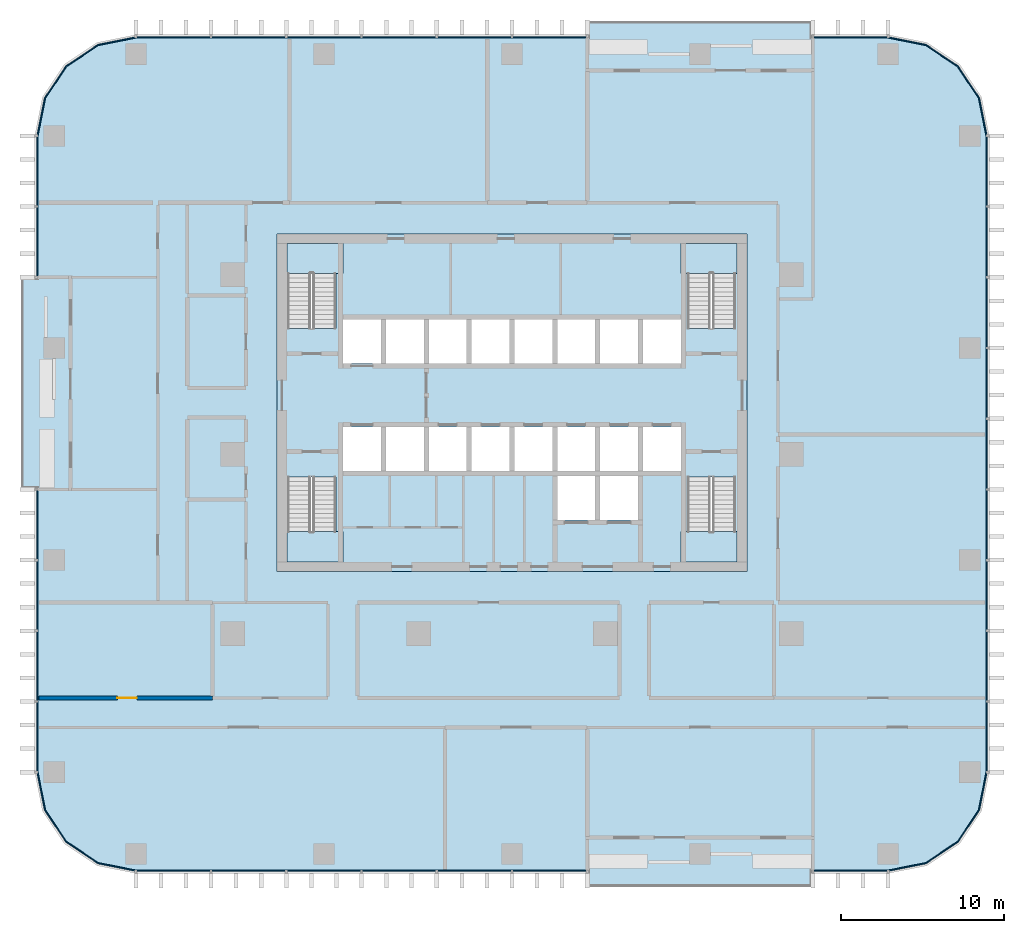
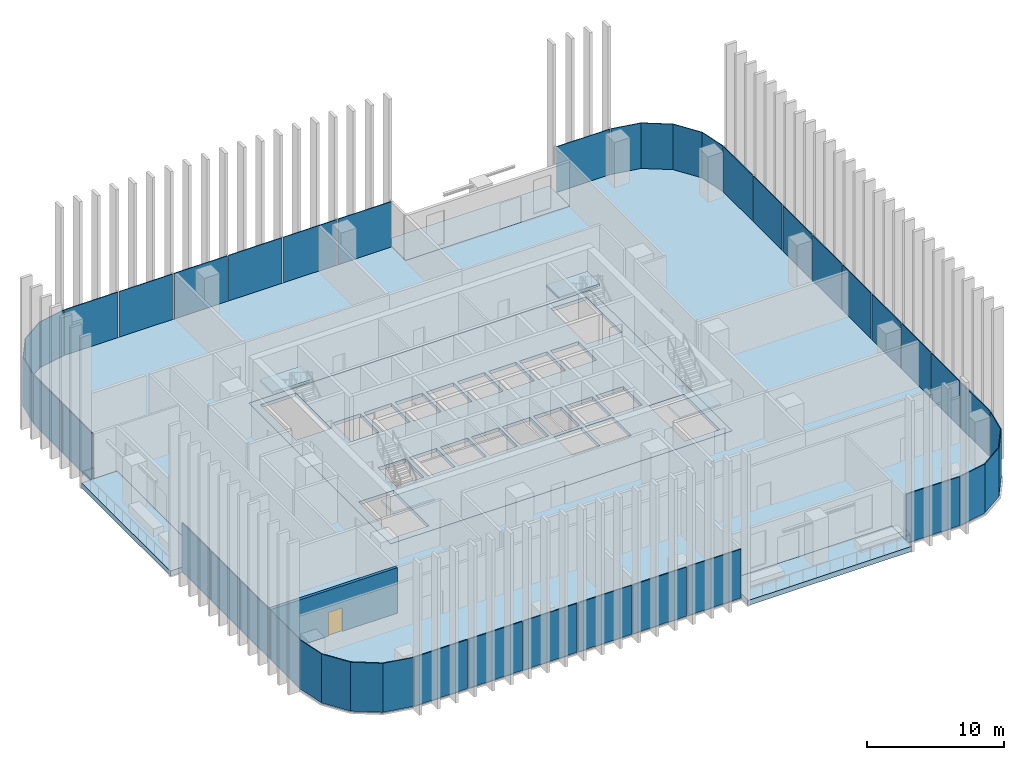
# One storey, part 6 of 17: 33 plates, 9 slabs, 1 door, 1 wall, 1 opening, 15 elements without a shape of their own.
"""IFC4 building model written with IfcOpenShell, lengths in metres."""

import ifcopenshell
import ifcopenshell.guid

model = None  # the IFC model being written
_history = None  # IfcOwnerHistory: only IFC2X3 demands one
_inside = {}  # id of a spatial element -> (the spatial element, [elements in it])
_under = {}  # id of a project, library or spatial element -> (it, [spatial elements below it])
_declared = {}  # id of a project -> (the project, [libraries it declares])
_typed = {}  # id of a type object -> (the type object, [elements of that type])
_made_of = {}  # id of a material, layer set ... -> (it, [elements and type objects made of it])


def new_model(schema):
    """Start an empty IFC model of exactly this schema.

    Asked for "IFC4X3", IfcOpenShell would pick the latest addendum, in which some entities
    have other attributes; the version numbers below select the first issue.
    IFC2X3 requires an IfcOwnerHistory on every rooted entity: one is made here for all.
    """
    global model, _history
    if schema == "IFC4X3":
        model = ifcopenshell.file(schema_version=(4, 3, 0, 0))
    else:
        model = ifcopenshell.file(schema=schema)
    _inside.clear()
    _under.clear()
    _declared.clear()
    _typed.clear()
    _made_of.clear()
    _history = None
    if model.schema == "IFC2X3":
        org = make("IfcOrganization", Name="unknown")
        user = make(
            "IfcPersonAndOrganization",
            ThePerson=make("IfcPerson", FamilyName="unknown"),
            TheOrganization=org,
        )
        app = make(
            "IfcApplication",
            ApplicationDeveloper=org,
            Version="unknown",
            ApplicationFullName="unknown",
            ApplicationIdentifier="unknown",
        )
        _history = make(
            "IfcOwnerHistory",
            OwningUser=user,
            OwningApplication=app,
            ChangeAction="ADDED",
            CreationDate=0,
        )
    return model


def make(cls, **values):
    """One entity of the class cls with the attributes given. An attribute that is None is left unset."""
    return model.create_entity(
        cls, **{name: value for name, value in values.items() if value is not None}
    )


def rooted(cls, **values):
    """An entity with a GlobalId (a new one), such as an element, a storey or a relation."""
    return make(cls, GlobalId=ifcopenshell.guid.new(), OwnerHistory=_history, **values)


def si_unit(unit_type, name, prefix=None):
    """IfcSIUnit, for example si_unit("LENGTHUNIT", "METRE", prefix="MILLI")."""
    return make("IfcSIUnit", UnitType=unit_type, Prefix=prefix, Name=name)


def assignment(units):
    """IfcUnitAssignment: the units of a project."""
    return None if units is None else make("IfcUnitAssignment", Units=units)


def point(xyz):
    """IfcCartesianPoint."""
    return None if xyz is None else make("IfcCartesianPoint", Coordinates=xyz)


def direction(xyz):
    """IfcDirection."""
    return None if xyz is None else make("IfcDirection", DirectionRatios=xyz)


def frame(location, z_axis=None, x_axis=None):
    """IfcAxis2Placement3D, a coordinate frame: its origin and axes. An axis left out is left unset."""
    return make(
        "IfcAxis2Placement3D",
        Location=point(location),
        Axis=direction(z_axis),
        RefDirection=direction(x_axis),
    )


def frame_2d(location, x_axis=None):
    """IfcAxis2Placement2D, a coordinate frame in the plane: its origin and x axis."""
    return make(
        "IfcAxis2Placement2D", Location=point(location), RefDirection=direction(x_axis)
    )


def origin():
    """The frame at (0, 0, 0) with its axes left unset."""
    return frame((0.0, 0.0, 0.0))


def origin_2d():
    """The frame at (0, 0) in the plane with its x axis left unset."""
    return frame_2d((0.0, 0.0))


def place(relative_to, where):
    """IfcLocalPlacement: puts the frame where relative to a parent placement (None: the world)."""
    return make(
        "IfcLocalPlacement", PlacementRelTo=relative_to, RelativePlacement=where
    )


def context(
    kind, dimensions, precision=None, world=None, true_north=None, identifier=None
):
    """IfcGeometricRepresentationContext, for example the 3D "Model" context."""
    return make(
        "IfcGeometricRepresentationContext",
        ContextIdentifier=identifier,
        ContextType=kind,
        CoordinateSpaceDimension=dimensions,
        Precision=precision,
        WorldCoordinateSystem=world,
        TrueNorth=true_north,
    )


def subcontext(parent, identifier, kind, view, scale=None):
    """IfcGeometricRepresentationSubContext, for example "Body" below "Model"."""
    return make(
        "IfcGeometricRepresentationSubContext",
        ContextIdentifier=identifier,
        ContextType=kind,
        ParentContext=parent,
        TargetScale=scale,
        TargetView=view,
    )


def project(units=None, contexts=None):
    """IfcProject with its units and contexts."""
    return rooted(
        "IfcProject",
        Name="project",
        RepresentationContexts=contexts,
        UnitsInContext=assignment(units),
    )


def spatial(cls, under=None, at=None, **own):
    """A site, building, storey or space (cls), placed at a placement, below another one or the project."""
    s = rooted(cls, ObjectPlacement=at, **own)
    if under is not None:
        _under.setdefault(under.id(), (under, []))[1].append(s)
    return s


def polyline(points):
    """IfcPolyline through the points."""
    return make("IfcPolyline", Points=[point(p) for p in points])


def profile(cls, at=None, kind="AREA", **sizes):
    """A parametric profile (cls). Its sizes go by their IFC names, for example OverallWidth=200.0."""
    return make(cls, ProfileType=kind, Position=at, **sizes)


def rectangle(**sizes):
    """IfcRectangleProfileDef."""
    return profile("IfcRectangleProfileDef", **sizes)


def outline(outer, holes=None, kind="AREA"):
    """IfcArbitraryClosedProfileDef: a profile drawn as a closed curve; with holes, ...WithVoids."""
    if holes is None:
        return make("IfcArbitraryClosedProfileDef", ProfileType=kind, OuterCurve=outer)
    return make(
        "IfcArbitraryProfileDefWithVoids",
        ProfileType=kind,
        OuterCurve=outer,
        InnerCurves=holes,
    )


def extrude(swept, where, along, depth):
    """IfcExtrudedAreaSolid: the profile swept, set in the frame where, extruded along a direction by depth."""
    return make(
        "IfcExtrudedAreaSolid",
        SweptArea=swept,
        Position=where,
        ExtrudedDirection=direction(along),
        Depth=depth,
    )


def shape(context_of_items, identifier, shape_type, items):
    """IfcShapeRepresentation: the items that make up one representation, for example the "Body"."""
    return make(
        "IfcShapeRepresentation",
        ContextOfItems=context_of_items,
        RepresentationIdentifier=identifier,
        RepresentationType=shape_type,
        Items=items,
    )


def material(Name=None, Category=None):
    """IfcMaterial."""
    return make("IfcMaterial", Name=Name, Category=Category)


def layer(
    of_material, thickness, ventilated=None, Name=None, Category=None, Priority=None
):
    """IfcMaterialLayer: one layer of a wall or slab, of a material (None: an air gap)."""
    return make(
        "IfcMaterialLayer",
        Material=of_material,
        LayerThickness=thickness,
        IsVentilated=ventilated,
        Name=Name,
        Category=Category,
        Priority=Priority,
    )


def layer_set(layers, Name=None):
    """IfcMaterialLayerSet."""
    return make("IfcMaterialLayerSet", MaterialLayers=layers, LayerSetName=Name)


def made_of(thing, what):
    """Note that an element or type object is made of a material, layer set ...; save() writes the relation."""
    if what is not None:
        _made_of.setdefault(what.id(), (what, []))[1].append(thing)
    return thing


def type_object(cls, material=None, **own):
    """A type object (cls), such as IfcWallType, which elements share."""
    return made_of(rooted(cls, **own), material)


def element(
    cls,
    number,
    at=None,
    inside=None,
    cuts=None,
    type_object=None,
    material=None,
    context=None,
    identifier="Body",
    shape_type=None,
    held_by="IfcProductDefinitionShape",
    body=None,
    shapes=None,
    **own,
):
    """One element of the class cls, such as IfcWall. Its Tag is "e" and its number.

    at: its placement. inside: the storey or other place that contains it. cuts: it is an
    opening in that element (IfcRelVoidsElement). A single representation is given by context,
    identifier, shape_type and body (its items); several are given by shapes. held_by: the class
    of the entity that holds the representations. save() writes the other relations.
    """
    e = rooted(cls, Tag="e%d" % number, ObjectPlacement=at, **own)
    if body is not None:
        shapes = [shape(context, identifier, shape_type, body)]
    if shapes is not None:
        e.Representation = make(held_by, Representations=shapes)
    if inside is not None:
        _inside.setdefault(inside.id(), (inside, []))[1].append(e)
    if cuts is not None:
        rooted(
            "IfcRelVoidsElement", RelatingBuildingElement=cuts, RelatedOpeningElement=e
        )
    if type_object is not None:
        _typed.setdefault(type_object.id(), (type_object, []))[1].append(e)
    return made_of(e, material)


def fill(opening, filler):
    """IfcRelFillsElement: the door or window that sits in an opening."""
    return rooted(
        "IfcRelFillsElement",
        RelatingOpeningElement=opening,
        RelatedBuildingElement=filler,
    )


def aggregate(whole, parts):
    """IfcRelAggregates: a whole, such as a stair, and the parts it consists of."""
    return rooted("IfcRelAggregates", RelatingObject=whole, RelatedObjects=parts)


def save(model, path):
    """Write the relations noted so far, then the file.

    IfcRelAggregates (storeys below a building ...), IfcRelContainedInSpatialStructure (elements
    in a storey), IfcRelDefinesByType, IfcRelAssociatesMaterial and IfcRelDeclares: one each for
    every whole, place, type object, material and project.
    """
    for whole, parts in _under.values():
        aggregate(whole, parts)
    for where, things in _inside.values():
        rooted(
            "IfcRelContainedInSpatialStructure",
            RelatedElements=things,
            RelatingStructure=where,
        )
    for kind, things in _typed.values():
        rooted("IfcRelDefinesByType", RelatedObjects=things, RelatingType=kind)
    for what, things in _made_of.values():
        rooted("IfcRelAssociatesMaterial", RelatedObjects=things, RelatingMaterial=what)
    for by, libraries in _declared.values():
        rooted("IfcRelDeclares", RelatingContext=by, RelatedDefinitions=libraries)
    model.write(path)


model = new_model("IFC4")

# Units and contexts
model_context = context("Model", 3, precision=1e-05, world=origin(), true_north=direction((0.0, 1.0)))
body_context = subcontext(model_context, "Body", "Model", "MODEL_VIEW")
ifc_project = project(units=[si_unit("LENGTHUNIT", "METRE"), si_unit("AREAUNIT", "SQUARE_METRE"), si_unit("VOLUMEUNIT", "CUBIC_METRE"), si_unit("PLANEANGLEUNIT", "RADIAN"), si_unit("MASSUNIT", "GRAM", prefix="KILO")], contexts=[model_context])

# Site, building, storey
site_placement = place(None, origin())
site = spatial("IfcSite", under=ifc_project, at=site_placement, CompositionType="ELEMENT")
building_placement = place(site_placement, origin())
building = spatial("IfcBuilding", under=site, at=building_placement, Name="Mopane Tessera Tower", CompositionType="ELEMENT")
storey_placement = place(building_placement, frame((0.0, 0.0, 108.10009765625)))
storey = spatial("IfcBuildingStorey", under=building, at=storey_placement, Name="L21", CompositionType="ELEMENT", Elevation=108.10009765625)

# Slab
ifc_material_1 = material(Name="Concrete C40/50", Category="concrete")
ifc_layer_1 = layer(ifc_material_1, 0.300048828125)
ifc_layer_set_1 = layer_set([ifc_layer_1], Name="Concrete C40/50")
slab_type_1 = type_object("IfcSlabType", Name="Core floor slab 300 mm", PredefinedType="FLOOR", material=ifc_layer_set_1)
slab_1_placement = place(storey_placement, frame((0.0, 0.0, -0.300048828125)))
element("IfcSlab", 1, at=slab_1_placement, inside=storey, type_object=slab_type_1, Name="L21 core floor slab", PredefinedType="FLOOR", context=body_context, shape_type="SweptSolid", body=[
    extrude(outline(polyline([(-14.39990234375, -7.199951171875), (14.39990234375, -7.199951171875), (14.39990234375, 13.5), (-14.39990234375, 13.5), (-14.39990234375, -7.199951171875)]), holes=[polyline([(-10.35009765625, -1.050048828125), (-8.02490234375, -1.050048828125), (-8.02490234375, 1.64990234375), (-10.35009765625, 1.64990234375), (-10.35009765625, -1.050048828125)]), polyline([(-7.72509765625, -1.050048828125), (-5.39990234375, -1.050048828125), (-5.39990234375, 1.64990234375), (-7.72509765625, 1.64990234375), (-7.72509765625, -1.050048828125)]), polyline([(-5.10009765625, -1.050048828125), (-2.77490234375, -1.050048828125), (-2.77490234375, 1.64990234375), (-5.10009765625, 1.64990234375), (-5.10009765625, -1.050048828125)]), polyline([(-2.47509765625, -1.050048828125), (-0.14990234375, -1.050048828125), (-0.14990234375, 1.64990234375), (-2.47509765625, 1.64990234375), (-2.47509765625, -1.050048828125)]), polyline([(0.14990234375, -1.050048828125), (2.47509765625, -1.050048828125), (2.47509765625, 1.64990234375), (0.14990234375, 1.64990234375), (0.14990234375, -1.050048828125)]), polyline([(2.77490234375, -1.050048828125), (5.10009765625, -1.050048828125), (5.10009765625, 1.64990234375), (2.77490234375, 1.64990234375), (2.77490234375, -1.050048828125)]), polyline([(5.39990234375, -1.050048828125), (7.72509765625, -1.050048828125), (7.72509765625, 1.64990234375), (5.39990234375, 1.64990234375), (5.39990234375, -1.050048828125)]), polyline([(8.02490234375, -1.050048828125), (10.35009765625, -1.050048828125), (10.35009765625, 1.64990234375), (8.02490234375, 1.64990234375), (8.02490234375, -1.050048828125)]), polyline([(-10.35009765625, 5.550048828125), (-8.02490234375, 5.550048828125), (-8.02490234375, 8.25), (-10.35009765625, 8.25), (-10.35009765625, 5.550048828125)]), polyline([(-7.72509765625, 5.550048828125), (-5.39990234375, 5.550048828125), (-5.39990234375, 8.25), (-7.72509765625, 8.25), (-7.72509765625, 5.550048828125)]), polyline([(-5.10009765625, 5.550048828125), (-2.77490234375, 5.550048828125), (-2.77490234375, 8.25), (-5.10009765625, 8.25), (-5.10009765625, 5.550048828125)]), polyline([(-2.47509765625, 5.550048828125), (-0.14990234375, 5.550048828125), (-0.14990234375, 8.25), (-2.47509765625, 8.25), (-2.47509765625, 5.550048828125)]), polyline([(0.14990234375, 5.550048828125), (2.47509765625, 5.550048828125), (2.47509765625, 8.25), (0.14990234375, 8.25), (0.14990234375, 5.550048828125)]), polyline([(2.77490234375, 5.550048828125), (5.10009765625, 5.550048828125), (5.10009765625, 8.25), (2.77490234375, 8.25), (2.77490234375, 5.550048828125)]), polyline([(5.39990234375, 5.550048828125), (7.72509765625, 5.550048828125), (7.72509765625, 8.25), (5.39990234375, 8.25), (5.39990234375, 5.550048828125)]), polyline([(8.02490234375, 5.550048828125), (10.35009765625, 5.550048828125), (10.35009765625, 8.25), (8.02490234375, 8.25), (8.02490234375, 5.550048828125)]), polyline([(2.77490234375, -4.050048828125), (5.10009765625, -4.050048828125), (5.10009765625, -1.35009765625), (2.77490234375, -1.35009765625), (2.77490234375, -4.050048828125)]), polyline([(5.39990234375, -4.050048828125), (7.72509765625, -4.050048828125), (7.72509765625, -1.35009765625), (5.39990234375, -1.35009765625), (5.39990234375, -4.050048828125)]), polyline([(-13.75, -1.405029296875), (-13.75, -6.60009765625), (-10.800048828125, -6.60009765625), (-10.800048828125, -1.405029296875), (-13.75, -1.405029296875)]), polyline([(-10.800048828125, 7.705078125), (-10.800048828125, 12.89990234375), (-13.75, 12.89990234375), (-13.75, 7.705078125), (-10.800048828125, 7.705078125)]), polyline([(10.75, -1.405029296875), (10.75, -6.60009765625), (13.699951171875, -6.60009765625), (13.699951171875, -1.405029296875), (10.75, -1.405029296875)]), polyline([(13.699951171875, 7.705078125), (13.699951171875, 12.89990234375), (10.75, 12.89990234375), (10.75, 7.705078125), (13.699951171875, 7.705078125)])]), origin(), (0.0, 0.0, 1.0), 0.300048828125),
])

# Stair, slab
ifc_material_2 = material(Name="Concrete C50/60", Category="concrete")
stair_type = type_object("IfcStairType", Name="Escape stair 1400 mm, riser 173 mm", PredefinedType="HALF_TURN_STAIR", material=ifc_material_2)
stair_1_placement = place(storey_placement, origin())
stair_1 = element("IfcStair", 2, at=stair_1_placement, inside=storey, type_object=stair_type, Name="L21 Escape stair south-west", PredefinedType="HALF_TURN_STAIR")
ifc_material_3 = material(Name="Concrete C50/60", Category="concrete")
ifc_layer_2 = layer(ifc_material_3, 0.199951171875)
ifc_layer_set_2 = layer_set([ifc_layer_2], Name="Concrete C50/60")
slab_type_2 = type_object("IfcSlabType", Name="Escape stair landing 200 mm", PredefinedType="LANDING", material=ifc_layer_set_2)
slab_2_placement = place(storey_placement, frame((0.0, 0.0, 2.0498046875)))
slab_2 = element("IfcSlab", 3, at=slab_2_placement, type_object=slab_type_2, Name="ST1 landing 1", PredefinedType="LANDING", context=body_context, shape_type="SweptSolid", body=[
    extrude(outline(polyline([(-13.800048828125, -4.760009765625), (-13.800048828125, -6.60009765625), (-10.35009765625, -6.60009765625), (-10.35009765625, -4.760009765625), (-13.800048828125, -4.760009765625)])), origin(), (0.0, 0.0, 1.0), 0.2001953125),
])
aggregate(stair_1, [slab_2])

stair_2_placement = place(storey_placement, origin())
stair_2 = element("IfcStair", 4, at=stair_2_placement, inside=storey, type_object=stair_type, Name="L21 Escape stair north-west", PredefinedType="HALF_TURN_STAIR")
slab_3_placement = place(storey_placement, frame((0.0, 0.0, 2.0498046875)))
slab_3 = element("IfcSlab", 5, at=slab_3_placement, type_object=slab_type_2, Name="ST2 landing 1", PredefinedType="LANDING", context=body_context, shape_type="SweptSolid", body=[
    extrude(outline(polyline([(-10.35009765625, 11.06005859375), (-10.35009765625, 12.89990234375), (-13.800048828125, 12.89990234375), (-13.800048828125, 11.06005859375), (-10.35009765625, 11.06005859375)])), origin(), (0.0, 0.0, 1.0), 0.2001953125),
])
aggregate(stair_2, [slab_3])

stair_3_placement = place(storey_placement, origin())
stair_3 = element("IfcStair", 6, at=stair_3_placement, inside=storey, type_object=stair_type, Name="L21 Escape stair south-east", PredefinedType="HALF_TURN_STAIR")
slab_4_placement = place(storey_placement, frame((0.0, 0.0, 2.0498046875)))
slab_4 = element("IfcSlab", 7, at=slab_4_placement, type_object=slab_type_2, Name="ST3 landing 1", PredefinedType="LANDING", context=body_context, shape_type="SweptSolid", body=[
    extrude(outline(polyline([(10.35009765625, -4.760009765625), (10.35009765625, -6.60009765625), (13.800048828125, -6.60009765625), (13.800048828125, -4.760009765625), (10.35009765625, -4.760009765625)])), origin(), (0.0, 0.0, 1.0), 0.2001953125),
])
aggregate(stair_3, [slab_4])

stair_4_placement = place(storey_placement, origin())
stair_4 = element("IfcStair", 8, at=stair_4_placement, inside=storey, type_object=stair_type, Name="L21 Escape stair north-east", PredefinedType="HALF_TURN_STAIR")
slab_5_placement = place(storey_placement, frame((0.0, 0.0, 2.0498046875)))
slab_5 = element("IfcSlab", 9, at=slab_5_placement, type_object=slab_type_2, Name="ST4 landing 1", PredefinedType="LANDING", context=body_context, shape_type="SweptSolid", body=[
    extrude(outline(polyline([(13.800048828125, 11.06005859375), (13.800048828125, 12.89990234375), (10.35009765625, 12.89990234375), (10.35009765625, 11.06005859375), (13.800048828125, 11.06005859375)])), origin(), (0.0, 0.0, 1.0), 0.2001953125),
])
aggregate(stair_4, [slab_5])

# Curtain wall, plates
ifc_material_4 = material(Name="Aluminium frame", Category="aluminium")
curtain_wall_type = type_object("IfcCurtainWallType", Name="Lower tower unitised wall", PredefinedType="NOTDEFINED", material=ifc_material_4)
curtain_wall_1_placement = place(storey_placement, origin())
curtain_wall_1 = element("IfcCurtainWall", 10, at=curtain_wall_1_placement, inside=storey, type_object=curtain_wall_type, Name="e:cw:L21:S:0", PredefinedType="NOTDEFINED")
ifc_material_5 = material(Name="Clear laminated glass", Category="glass")
ifc_layer_3 = layer(ifc_material_5, 0.070068359375)
ifc_layer_set_3 = layer_set([ifc_layer_3], Name="Clear laminated glass")
plate_type = type_object("IfcPlateType", Name="Laminated glazed unit 70", PredefinedType="CURTAIN_PANEL", material=ifc_layer_set_3)
plate_1_placement = place(storey_placement, frame((-20.7451171875, -25.534912109375, -0.31005859375), z_axis=(0.0, 0.0, 1.0), x_axis=(1.0, 0.0, 0.0)))
plate_1 = element("IfcPlate", 11, at=plate_1_placement, type_object=plate_type, Name="e:cw:L21:S:0:pn0", PredefinedType="CURTAIN_PANEL", context=body_context, shape_type="SweptSolid", body=[
    extrude(rectangle(XDim=4.5, YDim=0.070068359375, at=origin_2d()), origin(), (0.0, 0.0, 1.0), 4.360107421875),
])
plate_2_placement = place(storey_placement, frame((-16.135009765625, -25.534912109375, -0.31005859375), z_axis=(0.0, 0.0, 1.0), x_axis=(1.0, 0.0, 0.0)))
plate_2 = element("IfcPlate", 12, at=plate_2_placement, type_object=plate_type, Name="e:cw:L21:S:0:pn1", PredefinedType="CURTAIN_PANEL", context=body_context, shape_type="SweptSolid", body=[
    extrude(rectangle(XDim=4.5, YDim=0.070068359375, at=origin_2d()), origin(), (0.0, 0.0, 1.0), 4.360107421875),
])
plate_3_placement = place(storey_placement, frame((-11.52490234375, -25.534912109375, -0.31005859375), z_axis=(0.0, 0.0, 1.0), x_axis=(1.0, 0.0, 0.0)))
plate_3 = element("IfcPlate", 13, at=plate_3_placement, type_object=plate_type, Name="e:cw:L21:S:0:pn2", PredefinedType="CURTAIN_PANEL", context=body_context, shape_type="SweptSolid", body=[
    extrude(rectangle(XDim=4.5, YDim=0.070068359375, at=origin_2d()), origin(), (0.0, 0.0, 1.0), 4.360107421875),
])
plate_4_placement = place(storey_placement, frame((-6.9150390625, -25.534912109375, -0.31005859375), z_axis=(0.0, 0.0, 1.0), x_axis=(1.0, 0.0, 0.0)))
plate_4 = element("IfcPlate", 14, at=plate_4_placement, type_object=plate_type, Name="e:cw:L21:S:0:pn3", PredefinedType="CURTAIN_PANEL", context=body_context, shape_type="SweptSolid", body=[
    extrude(rectangle(XDim=4.5, YDim=0.070068359375, at=origin_2d()), origin(), (0.0, 0.0, 1.0), 4.360107421875),
])
plate_5_placement = place(storey_placement, frame((-2.304931640625, -25.534912109375, -0.31005859375), z_axis=(0.0, 0.0, 1.0), x_axis=(1.0, 0.0, 0.0)))
plate_5 = element("IfcPlate", 15, at=plate_5_placement, type_object=plate_type, Name="e:cw:L21:S:0:pn4", PredefinedType="CURTAIN_PANEL", context=body_context, shape_type="SweptSolid", body=[
    extrude(rectangle(XDim=4.5, YDim=0.070068359375, at=origin_2d()), origin(), (0.0, 0.0, 1.0), 4.360107421875),
])
plate_6_placement = place(storey_placement, frame((2.304931640625, -25.534912109375, -0.31005859375), z_axis=(0.0, 0.0, 1.0), x_axis=(1.0, 0.0, 0.0)))
plate_6 = element("IfcPlate", 16, at=plate_6_placement, type_object=plate_type, Name="e:cw:L21:S:0:pn5", PredefinedType="CURTAIN_PANEL", context=body_context, shape_type="SweptSolid", body=[
    extrude(rectangle(XDim=4.5, YDim=0.070068359375, at=origin_2d()), origin(), (0.0, 0.0, 1.0), 4.360107421875),
])
aggregate(curtain_wall_1, [plate_1, plate_2, plate_3, plate_4, plate_5, plate_6])

# Curtain wall, plate
curtain_wall_2_placement = place(storey_placement, origin())
curtain_wall_2 = element("IfcCurtainWall", 17, at=curtain_wall_2_placement, inside=storey, type_object=curtain_wall_type, Name="e:cw:L21:S:9", PredefinedType="NOTDEFINED")
plate_7_placement = place(storey_placement, frame((20.7451171875, -25.534912109375, -0.31005859375), z_axis=(0.0, 0.0, 1.0), x_axis=(1.0, 0.0, 0.0)))
plate_7 = element("IfcPlate", 18, at=plate_7_placement, type_object=plate_type, Name="e:cw:L21:S:9:pn9", PredefinedType="CURTAIN_PANEL", context=body_context, shape_type="SweptSolid", body=[
    extrude(rectangle(XDim=4.5, YDim=0.070068359375, at=origin_2d()), origin(), (0.0, 0.0, 1.0), 4.360107421875),
])
aggregate(curtain_wall_2, [plate_7])

curtain_wall_3_placement = place(storey_placement, origin())
curtain_wall_3 = element("IfcCurtainWall", 19, at=curtain_wall_3_placement, inside=storey, type_object=curtain_wall_type, Name="e:cw:L21:CS", PredefinedType="NOTDEFINED")
plate_8_placement = place(storey_placement, frame((0.0, 0.0, -0.31005859375)))
plate_8 = element("IfcPlate", 20, at=plate_8_placement, type_object=plate_type, Name="e:cw:L21:CS:pn", PredefinedType="CURTAIN_PANEL", context=body_context, shape_type="SweptSolid", body=[
    extrude(outline(polyline([(23.050048828125, -25.5), (25.34619140625, -25.043212890625), (27.292724609375, -23.74267578125), (28.59326171875, -21.796142578125), (29.050048828125, -19.5), (29.1201171875, -19.5), (28.657958984375, -21.822998046875), (27.342041015625, -23.792236328125), (25.372802734375, -25.10791015625), (23.050048828125, -25.570068359375), (23.050048828125, -25.5)])), origin(), (0.0, 0.0, 1.0), 4.35986328125),
])
aggregate(curtain_wall_3, [plate_8])

# Curtain wall, plates
curtain_wall_4_placement = place(storey_placement, origin())
curtain_wall_4 = element("IfcCurtainWall", 21, at=curtain_wall_4_placement, inside=storey, type_object=curtain_wall_type, Name="e:cw:L21:E:0", PredefinedType="NOTDEFINED")
plate_9_placement = place(storey_placement, frame((29.0849609375, -17.333251953125, -0.31005859375), z_axis=(0.0, 0.0, 1.0), x_axis=(0.0, 1.0, 0.0)))
plate_9 = element("IfcPlate", 22, at=plate_9_placement, type_object=plate_type, Name="e:cw:L21:E:0:pn0", PredefinedType="CURTAIN_PANEL", context=body_context, shape_type="SweptSolid", body=[
    extrude(rectangle(XDim=4.223388671875, YDim=0.070068359375, at=origin_2d()), origin(), (0.0, 0.0, 1.0), 4.360107421875),
])
plate_10_placement = place(storey_placement, frame((29.0849609375, -13.0, -0.31005859375), z_axis=(0.0, 0.0, 1.0), x_axis=(0.0, 1.0, 0.0)))
plate_10 = element("IfcPlate", 23, at=plate_10_placement, type_object=plate_type, Name="e:cw:L21:E:0:pn1", PredefinedType="CURTAIN_PANEL", context=body_context, shape_type="SweptSolid", body=[
    extrude(rectangle(XDim=4.223388671875, YDim=0.070068359375, at=origin_2d()), origin(), (0.0, 0.0, 1.0), 4.360107421875),
])
plate_11_placement = place(storey_placement, frame((29.0849609375, -8.666748046875, -0.31005859375), z_axis=(0.0, 0.0, 1.0), x_axis=(0.0, 1.0, 0.0)))
plate_11 = element("IfcPlate", 24, at=plate_11_placement, type_object=plate_type, Name="e:cw:L21:E:0:pn2", PredefinedType="CURTAIN_PANEL", context=body_context, shape_type="SweptSolid", body=[
    extrude(rectangle(XDim=4.223388671875, YDim=0.070068359375, at=origin_2d()), origin(), (0.0, 0.0, 1.0), 4.360107421875),
])
plate_12_placement = place(storey_placement, frame((29.0849609375, -4.333251953125, -0.31005859375), z_axis=(0.0, 0.0, 1.0), x_axis=(0.0, 1.0, 0.0)))
plate_12 = element("IfcPlate", 25, at=plate_12_placement, type_object=plate_type, Name="e:cw:L21:E:0:pn3", PredefinedType="CURTAIN_PANEL", context=body_context, shape_type="SweptSolid", body=[
    extrude(rectangle(XDim=4.223388671875, YDim=0.070068359375, at=origin_2d()), origin(), (0.0, 0.0, 1.0), 4.360107421875),
])
plate_13_placement = place(storey_placement, frame((29.0849609375, 0.0, -0.31005859375), z_axis=(0.0, 0.0, 1.0), x_axis=(0.0, 1.0, 0.0)))
plate_13 = element("IfcPlate", 26, at=plate_13_placement, type_object=plate_type, Name="e:cw:L21:E:0:pn4", PredefinedType="CURTAIN_PANEL", context=body_context, shape_type="SweptSolid", body=[
    extrude(rectangle(XDim=4.223388671875, YDim=0.070068359375, at=origin_2d()), origin(), (0.0, 0.0, 1.0), 4.360107421875),
])
plate_14_placement = place(storey_placement, frame((29.0849609375, 4.333251953125, -0.31005859375), z_axis=(0.0, 0.0, 1.0), x_axis=(0.0, 1.0, 0.0)))
plate_14 = element("IfcPlate", 27, at=plate_14_placement, type_object=plate_type, Name="e:cw:L21:E:0:pn5", PredefinedType="CURTAIN_PANEL", context=body_context, shape_type="SweptSolid", body=[
    extrude(rectangle(XDim=4.223388671875, YDim=0.070068359375, at=origin_2d()), origin(), (0.0, 0.0, 1.0), 4.360107421875),
])
plate_15_placement = place(storey_placement, frame((29.0849609375, 8.666748046875, -0.31005859375), z_axis=(0.0, 0.0, 1.0), x_axis=(0.0, 1.0, 0.0)))
plate_15 = element("IfcPlate", 28, at=plate_15_placement, type_object=plate_type, Name="e:cw:L21:E:0:pn6", PredefinedType="CURTAIN_PANEL", context=body_context, shape_type="SweptSolid", body=[
    extrude(rectangle(XDim=4.223388671875, YDim=0.070068359375, at=origin_2d()), origin(), (0.0, 0.0, 1.0), 4.360107421875),
])
plate_16_placement = place(storey_placement, frame((29.0849609375, 13.0, -0.31005859375), z_axis=(0.0, 0.0, 1.0), x_axis=(0.0, 1.0, 0.0)))
plate_16 = element("IfcPlate", 29, at=plate_16_placement, type_object=plate_type, Name="e:cw:L21:E:0:pn7", PredefinedType="CURTAIN_PANEL", context=body_context, shape_type="SweptSolid", body=[
    extrude(rectangle(XDim=4.223388671875, YDim=0.070068359375, at=origin_2d()), origin(), (0.0, 0.0, 1.0), 4.360107421875),
])
plate_17_placement = place(storey_placement, frame((29.0849609375, 17.333251953125, -0.31005859375), z_axis=(0.0, 0.0, 1.0), x_axis=(0.0, 1.0, 0.0)))
plate_17 = element("IfcPlate", 30, at=plate_17_placement, type_object=plate_type, Name="e:cw:L21:E:0:pn8", PredefinedType="CURTAIN_PANEL", context=body_context, shape_type="SweptSolid", body=[
    extrude(rectangle(XDim=4.223388671875, YDim=0.070068359375, at=origin_2d()), origin(), (0.0, 0.0, 1.0), 4.360107421875),
])
aggregate(curtain_wall_4, [plate_9, plate_10, plate_11, plate_12, plate_13, plate_14, plate_15, plate_16, plate_17])

# Curtain wall, plate
curtain_wall_5_placement = place(storey_placement, origin())
curtain_wall_5 = element("IfcCurtainWall", 31, at=curtain_wall_5_placement, inside=storey, type_object=curtain_wall_type, Name="e:cw:L21:CE", PredefinedType="NOTDEFINED")
plate_18_placement = place(storey_placement, frame((0.0, 0.0, -0.31005859375)))
plate_18 = element("IfcPlate", 32, at=plate_18_placement, type_object=plate_type, Name="e:cw:L21:CE:pn", PredefinedType="CURTAIN_PANEL", context=body_context, shape_type="SweptSolid", body=[
    extrude(outline(polyline([(29.050048828125, 19.5), (28.59326171875, 21.796142578125), (27.292724609375, 23.74267578125), (25.34619140625, 25.043212890625), (23.050048828125, 25.5), (23.050048828125, 25.570068359375), (25.372802734375, 25.10791015625), (27.342041015625, 23.792236328125), (28.657958984375, 21.822998046875), (29.1201171875, 19.5), (29.050048828125, 19.5)])), origin(), (0.0, 0.0, 1.0), 4.35986328125),
])
aggregate(curtain_wall_5, [plate_18])

curtain_wall_6_placement = place(storey_placement, origin())
curtain_wall_6 = element("IfcCurtainWall", 33, at=curtain_wall_6_placement, inside=storey, type_object=curtain_wall_type, Name="e:cw:L21:N:0", PredefinedType="NOTDEFINED")
plate_19_placement = place(storey_placement, frame((20.7451171875, 25.534912109375, -0.31005859375), z_axis=(0.0, 0.0, 1.0), x_axis=(-1.0, 0.0, 0.0)))
plate_19 = element("IfcPlate", 34, at=plate_19_placement, type_object=plate_type, Name="e:cw:L21:N:0:pn0", PredefinedType="CURTAIN_PANEL", context=body_context, shape_type="SweptSolid", body=[
    extrude(rectangle(XDim=4.5, YDim=0.070068359375, at=origin_2d()), origin(), (0.0, 0.0, 1.0), 4.360107421875),
])
aggregate(curtain_wall_6, [plate_19])

# Curtain wall, plates
curtain_wall_7_placement = place(storey_placement, origin())
curtain_wall_7 = element("IfcCurtainWall", 35, at=curtain_wall_7_placement, inside=storey, type_object=curtain_wall_type, Name="e:cw:L21:N:4", PredefinedType="NOTDEFINED")
plate_20_placement = place(storey_placement, frame((2.304931640625, 25.534912109375, -0.31005859375), z_axis=(0.0, 0.0, 1.0), x_axis=(-1.0, 0.0, 0.0)))
plate_20 = element("IfcPlate", 36, at=plate_20_placement, type_object=plate_type, Name="e:cw:L21:N:4:pn4", PredefinedType="CURTAIN_PANEL", context=body_context, shape_type="SweptSolid", body=[
    extrude(rectangle(XDim=4.5, YDim=0.070068359375, at=origin_2d()), origin(), (0.0, 0.0, 1.0), 4.360107421875),
])
plate_21_placement = place(storey_placement, frame((-2.304931640625, 25.534912109375, -0.31005859375), z_axis=(0.0, 0.0, 1.0), x_axis=(-1.0, 0.0, 0.0)))
plate_21 = element("IfcPlate", 37, at=plate_21_placement, type_object=plate_type, Name="e:cw:L21:N:4:pn5", PredefinedType="CURTAIN_PANEL", context=body_context, shape_type="SweptSolid", body=[
    extrude(rectangle(XDim=4.5, YDim=0.070068359375, at=origin_2d()), origin(), (0.0, 0.0, 1.0), 4.360107421875),
])
plate_22_placement = place(storey_placement, frame((-6.9150390625, 25.534912109375, -0.31005859375), z_axis=(0.0, 0.0, 1.0), x_axis=(-1.0, 0.0, 0.0)))
plate_22 = element("IfcPlate", 38, at=plate_22_placement, type_object=plate_type, Name="e:cw:L21:N:4:pn6", PredefinedType="CURTAIN_PANEL", context=body_context, shape_type="SweptSolid", body=[
    extrude(rectangle(XDim=4.5, YDim=0.070068359375, at=origin_2d()), origin(), (0.0, 0.0, 1.0), 4.360107421875),
])
plate_23_placement = place(storey_placement, frame((-11.52490234375, 25.534912109375, -0.31005859375), z_axis=(0.0, 0.0, 1.0), x_axis=(-1.0, 0.0, 0.0)))
plate_23 = element("IfcPlate", 39, at=plate_23_placement, type_object=plate_type, Name="e:cw:L21:N:4:pn7", PredefinedType="CURTAIN_PANEL", context=body_context, shape_type="SweptSolid", body=[
    extrude(rectangle(XDim=4.5, YDim=0.070068359375, at=origin_2d()), origin(), (0.0, 0.0, 1.0), 4.360107421875),
])
plate_24_placement = place(storey_placement, frame((-16.135009765625, 25.534912109375, -0.31005859375), z_axis=(0.0, 0.0, 1.0), x_axis=(-1.0, 0.0, 0.0)))
plate_24 = element("IfcPlate", 40, at=plate_24_placement, type_object=plate_type, Name="e:cw:L21:N:4:pn8", PredefinedType="CURTAIN_PANEL", context=body_context, shape_type="SweptSolid", body=[
    extrude(rectangle(XDim=4.5, YDim=0.070068359375, at=origin_2d()), origin(), (0.0, 0.0, 1.0), 4.360107421875),
])
plate_25_placement = place(storey_placement, frame((-20.7451171875, 25.534912109375, -0.31005859375), z_axis=(0.0, 0.0, 1.0), x_axis=(-1.0, 0.0, 0.0)))
plate_25 = element("IfcPlate", 41, at=plate_25_placement, type_object=plate_type, Name="e:cw:L21:N:4:pn9", PredefinedType="CURTAIN_PANEL", context=body_context, shape_type="SweptSolid", body=[
    extrude(rectangle(XDim=4.5, YDim=0.070068359375, at=origin_2d()), origin(), (0.0, 0.0, 1.0), 4.360107421875),
])
aggregate(curtain_wall_7, [plate_20, plate_21, plate_22, plate_23, plate_24, plate_25])

# Curtain wall, plate
curtain_wall_8_placement = place(storey_placement, origin())
curtain_wall_8 = element("IfcCurtainWall", 42, at=curtain_wall_8_placement, inside=storey, type_object=curtain_wall_type, Name="e:cw:L21:CN", PredefinedType="NOTDEFINED")
plate_26_placement = place(storey_placement, frame((0.0, 0.0, -0.31005859375)))
plate_26 = element("IfcPlate", 43, at=plate_26_placement, type_object=plate_type, Name="e:cw:L21:CN:pn", PredefinedType="CURTAIN_PANEL", context=body_context, shape_type="SweptSolid", body=[
    extrude(outline(polyline([(-23.050048828125, 25.5), (-25.34619140625, 25.043212890625), (-27.292724609375, 23.74267578125), (-28.59326171875, 21.796142578125), (-29.050048828125, 19.5), (-29.1201171875, 19.5), (-28.657958984375, 21.822998046875), (-27.342041015625, 23.792236328125), (-25.372802734375, 25.10791015625), (-23.050048828125, 25.570068359375), (-23.050048828125, 25.5)])), origin(), (0.0, 0.0, 1.0), 4.35986328125),
])
aggregate(curtain_wall_8, [plate_26])

# Curtain wall, plates
curtain_wall_9_placement = place(storey_placement, origin())
curtain_wall_9 = element("IfcCurtainWall", 44, at=curtain_wall_9_placement, inside=storey, type_object=curtain_wall_type, Name="e:cw:L21:W:0", PredefinedType="NOTDEFINED")
plate_27_placement = place(storey_placement, frame((-29.0849609375, 17.333251953125, -0.31005859375), z_axis=(0.0, 0.0, 1.0), x_axis=(0.0, -1.0, 0.0)))
plate_27 = element("IfcPlate", 45, at=plate_27_placement, type_object=plate_type, Name="e:cw:L21:W:0:pn0", PredefinedType="CURTAIN_PANEL", context=body_context, shape_type="SweptSolid", body=[
    extrude(rectangle(XDim=4.223388671875, YDim=0.070068359375, at=origin_2d()), origin(), (0.0, 0.0, 1.0), 4.360107421875),
])
plate_28_placement = place(storey_placement, frame((-29.0849609375, 13.0, -0.31005859375), z_axis=(0.0, 0.0, 1.0), x_axis=(0.0, -1.0, 0.0)))
plate_28 = element("IfcPlate", 46, at=plate_28_placement, type_object=plate_type, Name="e:cw:L21:W:0:pn1", PredefinedType="CURTAIN_PANEL", context=body_context, shape_type="SweptSolid", body=[
    extrude(rectangle(XDim=4.223388671875, YDim=0.070068359375, at=origin_2d()), origin(), (0.0, 0.0, 1.0), 4.360107421875),
])
aggregate(curtain_wall_9, [plate_27, plate_28])

curtain_wall_10_placement = place(storey_placement, origin())
curtain_wall_10 = element("IfcCurtainWall", 47, at=curtain_wall_10_placement, inside=storey, type_object=curtain_wall_type, Name="e:cw:L21:W:5", PredefinedType="NOTDEFINED")
plate_29_placement = place(storey_placement, frame((-29.0849609375, -4.333251953125, -0.31005859375), z_axis=(0.0, 0.0, 1.0), x_axis=(0.0, -1.0, 0.0)))
plate_29 = element("IfcPlate", 48, at=plate_29_placement, type_object=plate_type, Name="e:cw:L21:W:5:pn5", PredefinedType="CURTAIN_PANEL", context=body_context, shape_type="SweptSolid", body=[
    extrude(rectangle(XDim=4.223388671875, YDim=0.070068359375, at=origin_2d()), origin(), (0.0, 0.0, 1.0), 4.360107421875),
])
plate_30_placement = place(storey_placement, frame((-29.0849609375, -8.666748046875, -0.31005859375), z_axis=(0.0, 0.0, 1.0), x_axis=(0.0, -1.0, 0.0)))
plate_30 = element("IfcPlate", 49, at=plate_30_placement, type_object=plate_type, Name="e:cw:L21:W:5:pn6", PredefinedType="CURTAIN_PANEL", context=body_context, shape_type="SweptSolid", body=[
    extrude(rectangle(XDim=4.223388671875, YDim=0.070068359375, at=origin_2d()), origin(), (0.0, 0.0, 1.0), 4.360107421875),
])
plate_31_placement = place(storey_placement, frame((-29.0849609375, -13.0, -0.31005859375), z_axis=(0.0, 0.0, 1.0), x_axis=(0.0, -1.0, 0.0)))
plate_31 = element("IfcPlate", 50, at=plate_31_placement, type_object=plate_type, Name="e:cw:L21:W:5:pn7", PredefinedType="CURTAIN_PANEL", context=body_context, shape_type="SweptSolid", body=[
    extrude(rectangle(XDim=4.223388671875, YDim=0.070068359375, at=origin_2d()), origin(), (0.0, 0.0, 1.0), 4.360107421875),
])
plate_32_placement = place(storey_placement, frame((-29.0849609375, -17.333251953125, -0.31005859375), z_axis=(0.0, 0.0, 1.0), x_axis=(0.0, -1.0, 0.0)))
plate_32 = element("IfcPlate", 51, at=plate_32_placement, type_object=plate_type, Name="e:cw:L21:W:5:pn8", PredefinedType="CURTAIN_PANEL", context=body_context, shape_type="SweptSolid", body=[
    extrude(rectangle(XDim=4.223388671875, YDim=0.070068359375, at=origin_2d()), origin(), (0.0, 0.0, 1.0), 4.360107421875),
])
aggregate(curtain_wall_10, [plate_29, plate_30, plate_31, plate_32])

# Curtain wall, plate
curtain_wall_11_placement = place(storey_placement, origin())
curtain_wall_11 = element("IfcCurtainWall", 52, at=curtain_wall_11_placement, inside=storey, type_object=curtain_wall_type, Name="e:cw:L21:CW", PredefinedType="NOTDEFINED")
plate_33_placement = place(storey_placement, frame((0.0, 0.0, -0.31005859375)))
plate_33 = element("IfcPlate", 53, at=plate_33_placement, type_object=plate_type, Name="e:cw:L21:CW:pn", PredefinedType="CURTAIN_PANEL", context=body_context, shape_type="SweptSolid", body=[
    extrude(outline(polyline([(-29.050048828125, -19.5), (-28.59326171875, -21.796142578125), (-27.292724609375, -23.74267578125), (-25.34619140625, -25.043212890625), (-23.050048828125, -25.5), (-23.050048828125, -25.570068359375), (-25.372802734375, -25.10791015625), (-27.342041015625, -23.792236328125), (-28.657958984375, -21.822998046875), (-29.1201171875, -19.5), (-29.050048828125, -19.5)])), origin(), (0.0, 0.0, 1.0), 4.35986328125),
])
aggregate(curtain_wall_11, [plate_33])

# Slabs
ifc_material_6 = material(Name="Concrete C40/50", Category="concrete")
ifc_layer_4 = layer(ifc_material_6, 0.449951171875)
ifc_layer_set_4 = layer_set([ifc_layer_4], Name="Concrete C40/50")
slab_type_3 = type_object("IfcSlabType", Name="Planted terrace slab 450 mm", PredefinedType="FLOOR", material=ifc_layer_set_4)
slab_6_placement = place(storey_placement, frame((0.0, 0.0, -0.4501953125)))
element("IfcSlab", 54, at=slab_6_placement, inside=storey, type_object=slab_type_3, Name="Terrace slab N1 L21", PredefinedType="FLOOR", context=body_context, shape_type="SweptSolid", body=[
    extrude(outline(polyline([(4.610107421875, 26.5), (4.610107421875, 23.5), (18.43994140625, 23.5), (18.43994140625, 26.5), (4.610107421875, 26.5)])), origin(), (0.0, 0.0, 1.0), 0.4501953125),
])
slab_7_placement = place(storey_placement, frame((0.0, 0.0, -0.4501953125)))
element("IfcSlab", 55, at=slab_7_placement, inside=storey, type_object=slab_type_3, Name="Terrace slab N2 L21", PredefinedType="FLOOR", context=body_context, shape_type="SweptSolid", body=[
    extrude(outline(polyline([(-30.050048828125, -2.166748046875), (-27.050048828125, -2.166748046875), (-27.050048828125, 10.833251953125), (-30.050048828125, 10.833251953125), (-30.050048828125, -2.166748046875)])), origin(), (0.0, 0.0, 1.0), 0.4501953125),
])
slab_8_placement = place(storey_placement, frame((0.0, 0.0, -0.4501953125)))
element("IfcSlab", 56, at=slab_8_placement, inside=storey, type_object=slab_type_3, Name="Terrace slab N3 L21", PredefinedType="FLOOR", context=body_context, shape_type="SweptSolid", body=[
    extrude(outline(polyline([(18.43994140625, -26.5), (18.43994140625, -23.5), (4.610107421875, -23.5), (4.610107421875, -26.5), (18.43994140625, -26.5)])), origin(), (0.0, 0.0, 1.0), 0.4501953125),
])
ifc_material_7 = material(Name="Concrete C40/50", Category="concrete")
ifc_layer_5 = layer(ifc_material_7, 0.449951171875)
ifc_layer_set_5 = layer_set([ifc_layer_5], Name="Concrete C40/50")
slab_type_4 = type_object("IfcSlabType", Name="Post-tensioned flat plate 450 mm", PredefinedType="FLOOR", material=ifc_layer_set_5)
slab_9_placement = place(storey_placement, frame((0.0, 0.0, -0.4501953125)))
element("IfcSlab", 57, at=slab_9_placement, inside=storey, type_object=slab_type_4, Name="Floor slab L21", PredefinedType="FLOOR", context=body_context, shape_type="SweptSolid", body=[
    extrude(outline(polyline([(-23.050048828125, -25.5), (4.610107421875, -25.5), (4.610107421875, -23.5), (18.43994140625, -23.5), (18.43994140625, -25.5), (23.050048828125, -25.5), (25.34619140625, -25.043212890625), (27.292724609375, -23.74267578125), (28.59326171875, -21.796142578125), (29.050048828125, -19.5), (29.050048828125, 19.5), (28.59326171875, 21.796142578125), (27.292724609375, 23.74267578125), (25.34619140625, 25.043212890625), (23.050048828125, 25.5), (18.43994140625, 25.5), (18.43994140625, 23.5), (4.610107421875, 23.5), (4.610107421875, 25.5), (-23.050048828125, 25.5), (-25.34619140625, 25.043212890625), (-27.292724609375, 23.74267578125), (-28.59326171875, 21.796142578125), (-29.050048828125, 19.5), (-29.050048828125, 10.833251953125), (-27.050048828125, 10.833251953125), (-27.050048828125, -2.166748046875), (-29.050048828125, -2.166748046875), (-29.050048828125, -19.5), (-28.59326171875, -21.796142578125), (-27.292724609375, -23.74267578125), (-25.34619140625, -25.043212890625), (-23.050048828125, -25.5)]), holes=[polyline([(14.39990234375, -7.199951171875), (-14.39990234375, -7.199951171875), (-14.39990234375, 13.5), (14.39990234375, 13.5), (14.39990234375, -7.199951171875)])]), origin(), (0.0, 0.0, 1.0), 0.4501953125),
])

# Wall, opening, door
ifc_material_8 = material(Name="Plastered concrete blockwork C20/25", Category="masonry")
ifc_layer_6 = layer(ifc_material_8, 0.25)
ifc_layer_set_6 = layer_set([ifc_layer_6], Name="Plastered concrete blockwork C20/25")
wall_type = type_object("IfcWallType", Name="Plastered blockwork wall 250, rated EI 120", PredefinedType="PARTITIONING", material=ifc_layer_set_6)
wall_placement = place(storey_placement, frame((-29.0, -14.949951171875, 0.0), z_axis=(0.0, 0.0, 1.0), x_axis=(1.0, 0.0, 0.0)))
wall = element("IfcWall", 58, at=wall_placement, inside=storey, type_object=wall_type, Name="Partition L21:005", PredefinedType="PARTITIONING", context=body_context, shape_type="SweptSolid", body=[
    extrude(rectangle(XDim=10.635009765625, YDim=0.25, at=frame_2d((5.3173828125, 0.0))), origin(), (0.0, 0.0, 1.0), 4.0498046875),
])
opening_placement = place(wall_placement, frame((4.8173828125, 0.0, 0.0)))
opening = element("IfcOpeningElement", 59, at=opening_placement, cuts=wall, Name="Opening L21-11", PredefinedType="OPENING", context=body_context, shape_type="SweptSolid", body=[
    extrude(rectangle(XDim=1.199951171875, YDim=2.10009765625, at=frame_2d((0.60009765625, 1.050048828125))), frame((0.0, 0.136962890625, 0.0), z_axis=(0.0, -1.0, 0.0), x_axis=(1.0, 0.0, 0.0)), (0.0, 0.0, 1.0), 0.27392578125),
])
ifc_material_9 = material(Name="Timber veneered steel-framed fire door", Category="steel")
door_type = type_object("IfcDoorType", Name="Fire door FD120 1200 x 2100", OperationType="SINGLE_SWING_LEFT", PredefinedType="DOOR", material=ifc_material_9)
door_placement = place(opening_placement, origin())
door = element("IfcDoor", 60, at=door_placement, inside=storey, type_object=door_type, Name="Door L21-11", ObjectType="D15B", OperationType="SINGLE_SWING_LEFT", OverallHeight=2.10009765625, OverallWidth=1.199951171875, PredefinedType="DOOR", context=body_context, shape_type="SweptSolid", body=[
    extrude(rectangle(XDim=1.199951171875, YDim=2.10009765625, at=frame_2d((0.60009765625, 1.050048828125))), frame((0.0, 0.02490234375, 0.0), z_axis=(0.0, -1.0, 0.0), x_axis=(1.0, 0.0, 0.0)), (0.0, 0.0, 1.0), 0.050048828125),
])
fill(opening, door)

save(model, "model.ifc")
